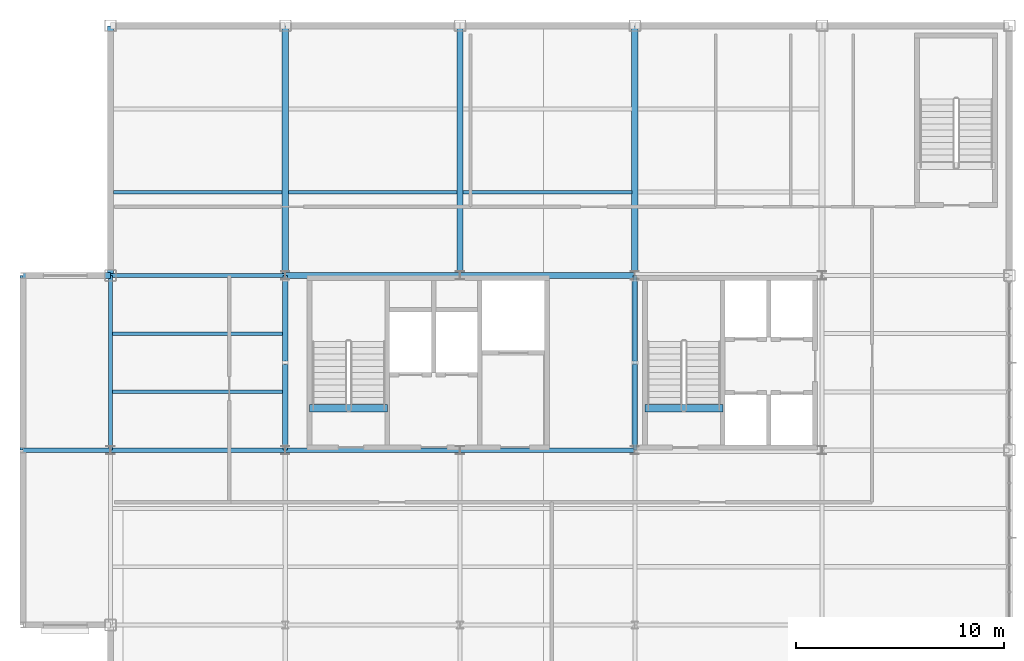
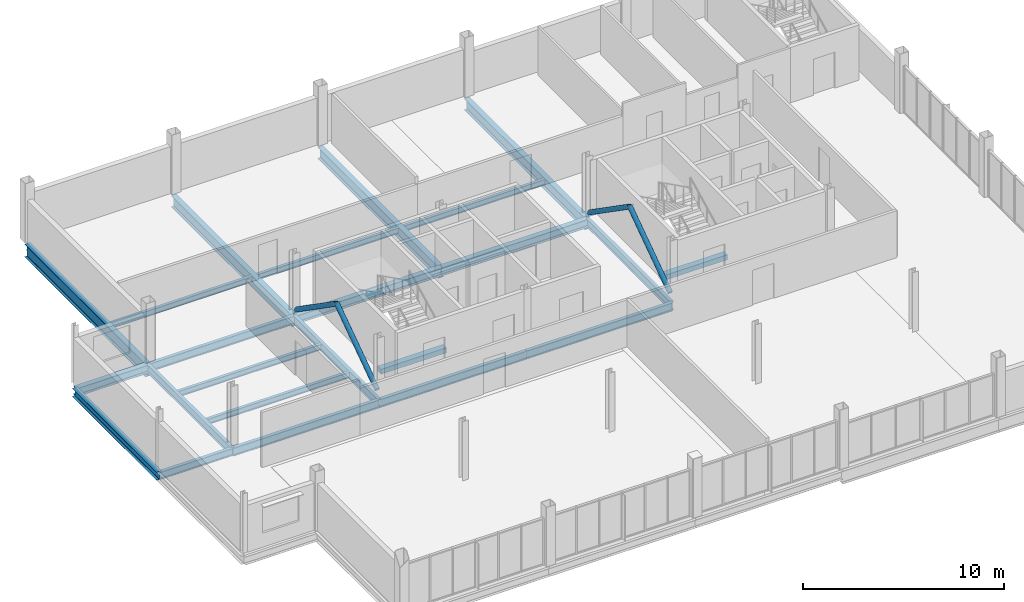
# One storey, part 7 of 18: 23 beams, 4 members.
"""IFC4 building model written with IfcOpenShell, lengths in metres."""

import ifcopenshell
import ifcopenshell.guid

model = None  # the IFC model being written
_history = None  # IfcOwnerHistory: only IFC2X3 demands one
_inside = {}  # id of a spatial element -> (the spatial element, [elements in it])
_under = {}  # id of a project, library or spatial element -> (it, [spatial elements below it])
_declared = {}  # id of a project -> (the project, [libraries it declares])
_typed = {}  # id of a type object -> (the type object, [elements of that type])
_made_of = {}  # id of a material, layer set ... -> (it, [elements and type objects made of it])


def new_model(schema):
    """Start an empty IFC model of exactly this schema.

    Asked for "IFC4X3", IfcOpenShell would pick the latest addendum, in which some entities
    have other attributes; the version numbers below select the first issue.
    IFC2X3 requires an IfcOwnerHistory on every rooted entity: one is made here for all.
    """
    global model, _history
    if schema == "IFC4X3":
        model = ifcopenshell.file(schema_version=(4, 3, 0, 0))
    else:
        model = ifcopenshell.file(schema=schema)
    _inside.clear()
    _under.clear()
    _declared.clear()
    _typed.clear()
    _made_of.clear()
    _history = None
    if model.schema == "IFC2X3":
        org = make("IfcOrganization", Name="unknown")
        user = make(
            "IfcPersonAndOrganization",
            ThePerson=make("IfcPerson", FamilyName="unknown"),
            TheOrganization=org,
        )
        app = make(
            "IfcApplication",
            ApplicationDeveloper=org,
            Version="unknown",
            ApplicationFullName="unknown",
            ApplicationIdentifier="unknown",
        )
        _history = make(
            "IfcOwnerHistory",
            OwningUser=user,
            OwningApplication=app,
            ChangeAction="ADDED",
            CreationDate=0,
        )
    return model


def make(cls, **values):
    """One entity of the class cls with the attributes given. An attribute that is None is left unset."""
    return model.create_entity(
        cls, **{name: value for name, value in values.items() if value is not None}
    )


def rooted(cls, **values):
    """An entity with a GlobalId (a new one), such as an element, a storey or a relation."""
    return make(cls, GlobalId=ifcopenshell.guid.new(), OwnerHistory=_history, **values)


def si_unit(unit_type, name, prefix=None):
    """IfcSIUnit, for example si_unit("LENGTHUNIT", "METRE", prefix="MILLI")."""
    return make("IfcSIUnit", UnitType=unit_type, Prefix=prefix, Name=name)


def assignment(units):
    """IfcUnitAssignment: the units of a project."""
    return None if units is None else make("IfcUnitAssignment", Units=units)


def point(xyz):
    """IfcCartesianPoint."""
    return None if xyz is None else make("IfcCartesianPoint", Coordinates=xyz)


def direction(xyz):
    """IfcDirection."""
    return None if xyz is None else make("IfcDirection", DirectionRatios=xyz)


def frame(location, z_axis=None, x_axis=None):
    """IfcAxis2Placement3D, a coordinate frame: its origin and axes. An axis left out is left unset."""
    return make(
        "IfcAxis2Placement3D",
        Location=point(location),
        Axis=direction(z_axis),
        RefDirection=direction(x_axis),
    )


def frame_2d(location, x_axis=None):
    """IfcAxis2Placement2D, a coordinate frame in the plane: its origin and x axis."""
    return make(
        "IfcAxis2Placement2D", Location=point(location), RefDirection=direction(x_axis)
    )


def origin():
    """The frame at (0, 0, 0) with its axes left unset."""
    return frame((0.0, 0.0, 0.0))


def origin_2d():
    """The frame at (0, 0) in the plane with its x axis left unset."""
    return frame_2d((0.0, 0.0))


def place(relative_to, where):
    """IfcLocalPlacement: puts the frame where relative to a parent placement (None: the world)."""
    return make(
        "IfcLocalPlacement", PlacementRelTo=relative_to, RelativePlacement=where
    )


def context(
    kind, dimensions, precision=None, world=None, true_north=None, identifier=None
):
    """IfcGeometricRepresentationContext, for example the 3D "Model" context."""
    return make(
        "IfcGeometricRepresentationContext",
        ContextIdentifier=identifier,
        ContextType=kind,
        CoordinateSpaceDimension=dimensions,
        Precision=precision,
        WorldCoordinateSystem=world,
        TrueNorth=true_north,
    )


def subcontext(parent, identifier, kind, view, scale=None):
    """IfcGeometricRepresentationSubContext, for example "Body" below "Model"."""
    return make(
        "IfcGeometricRepresentationSubContext",
        ContextIdentifier=identifier,
        ContextType=kind,
        ParentContext=parent,
        TargetScale=scale,
        TargetView=view,
    )


def project(units=None, contexts=None):
    """IfcProject with its units and contexts."""
    return rooted(
        "IfcProject",
        Name="project",
        RepresentationContexts=contexts,
        UnitsInContext=assignment(units),
    )


def spatial(cls, under=None, at=None, **own):
    """A site, building, storey or space (cls), placed at a placement, below another one or the project."""
    s = rooted(cls, ObjectPlacement=at, **own)
    if under is not None:
        _under.setdefault(under.id(), (under, []))[1].append(s)
    return s


def profile(cls, at=None, kind="AREA", **sizes):
    """A parametric profile (cls). Its sizes go by their IFC names, for example OverallWidth=200.0."""
    return make(cls, ProfileType=kind, Position=at, **sizes)


def rectangle(**sizes):
    """IfcRectangleProfileDef."""
    return profile("IfcRectangleProfileDef", **sizes)


def hollow_circle(**sizes):
    """IfcCircleHollowProfileDef."""
    return profile("IfcCircleHollowProfileDef", **sizes)


def i_section(**sizes):
    """IfcIShapeProfileDef."""
    return profile("IfcIShapeProfileDef", **sizes)


def extrude(swept, where, along, depth):
    """IfcExtrudedAreaSolid: the profile swept, set in the frame where, extruded along a direction by depth."""
    return make(
        "IfcExtrudedAreaSolid",
        SweptArea=swept,
        Position=where,
        ExtrudedDirection=direction(along),
        Depth=depth,
    )


def shape(context_of_items, identifier, shape_type, items):
    """IfcShapeRepresentation: the items that make up one representation, for example the "Body"."""
    return make(
        "IfcShapeRepresentation",
        ContextOfItems=context_of_items,
        RepresentationIdentifier=identifier,
        RepresentationType=shape_type,
        Items=items,
    )


def material(Name=None, Category=None):
    """IfcMaterial."""
    return make("IfcMaterial", Name=Name, Category=Category)


def material_profile(
    of_material, cross_section, Name=None, Category=None, Priority=None
):
    """IfcMaterialProfile: a cross section and its material."""
    return make(
        "IfcMaterialProfile",
        Name=Name,
        Material=of_material,
        Profile=cross_section,
        Priority=Priority,
        Category=Category,
    )


def profile_set(profiles, Name=None, composite=None):
    """IfcMaterialProfileSet."""
    return make(
        "IfcMaterialProfileSet",
        Name=Name,
        MaterialProfiles=profiles,
        CompositeProfile=composite,
    )


def made_of(thing, what):
    """Note that an element or type object is made of a material, layer set ...; save() writes the relation."""
    if what is not None:
        _made_of.setdefault(what.id(), (what, []))[1].append(thing)
    return thing


def type_object(cls, material=None, **own):
    """A type object (cls), such as IfcWallType, which elements share."""
    return made_of(rooted(cls, **own), material)


def element(
    cls,
    number,
    at=None,
    inside=None,
    cuts=None,
    type_object=None,
    material=None,
    context=None,
    identifier="Body",
    shape_type=None,
    held_by="IfcProductDefinitionShape",
    body=None,
    shapes=None,
    **own,
):
    """One element of the class cls, such as IfcWall. Its Tag is "e" and its number.

    at: its placement. inside: the storey or other place that contains it. cuts: it is an
    opening in that element (IfcRelVoidsElement). A single representation is given by context,
    identifier, shape_type and body (its items); several are given by shapes. held_by: the class
    of the entity that holds the representations. save() writes the other relations.
    """
    e = rooted(cls, Tag="e%d" % number, ObjectPlacement=at, **own)
    if body is not None:
        shapes = [shape(context, identifier, shape_type, body)]
    if shapes is not None:
        e.Representation = make(held_by, Representations=shapes)
    if inside is not None:
        _inside.setdefault(inside.id(), (inside, []))[1].append(e)
    if cuts is not None:
        rooted(
            "IfcRelVoidsElement", RelatingBuildingElement=cuts, RelatedOpeningElement=e
        )
    if type_object is not None:
        _typed.setdefault(type_object.id(), (type_object, []))[1].append(e)
    return made_of(e, material)


def aggregate(whole, parts):
    """IfcRelAggregates: a whole, such as a stair, and the parts it consists of."""
    return rooted("IfcRelAggregates", RelatingObject=whole, RelatedObjects=parts)


def save(model, path):
    """Write the relations noted so far, then the file.

    IfcRelAggregates (storeys below a building ...), IfcRelContainedInSpatialStructure (elements
    in a storey), IfcRelDefinesByType, IfcRelAssociatesMaterial and IfcRelDeclares: one each for
    every whole, place, type object, material and project.
    """
    for whole, parts in _under.values():
        aggregate(whole, parts)
    for where, things in _inside.values():
        rooted(
            "IfcRelContainedInSpatialStructure",
            RelatedElements=things,
            RelatingStructure=where,
        )
    for kind, things in _typed.values():
        rooted("IfcRelDefinesByType", RelatedObjects=things, RelatingType=kind)
    for what, things in _made_of.values():
        rooted("IfcRelAssociatesMaterial", RelatedObjects=things, RelatingMaterial=what)
    for by, libraries in _declared.values():
        rooted("IfcRelDeclares", RelatingContext=by, RelatedDefinitions=libraries)
    model.write(path)


model = new_model("IFC4")

# Units and contexts
model_context = context("Model", 3, precision=1e-05, world=origin(), true_north=direction((0.0, 1.0)))
body_context = subcontext(model_context, "Body", "Model", "MODEL_VIEW")
ifc_project = project(units=[si_unit("LENGTHUNIT", "METRE"), si_unit("AREAUNIT", "SQUARE_METRE"), si_unit("VOLUMEUNIT", "CUBIC_METRE"), si_unit("PLANEANGLEUNIT", "RADIAN"), si_unit("MASSUNIT", "GRAM", prefix="KILO")], contexts=[model_context])

# Site, building, storey
site_placement = place(None, origin())
site = spatial("IfcSite", under=ifc_project, at=site_placement, CompositionType="ELEMENT")
building_placement = place(site_placement, origin())
building = spatial("IfcBuilding", under=site, at=building_placement, Name="Yukiwa Park Conservatory and Herbarium", CompositionType="ELEMENT")
storey_placement = place(building_placement, frame((0.0, 0.0, 24.60009765625)))
storey = spatial("IfcBuildingStorey", under=building, at=storey_placement, Name="L06", CompositionType="ELEMENT", Elevation=24.60009765625)

# Beams
ifc_material_1 = material(Name="Steel Q355D", Category="steel")
ifc_material_profile_1 = material_profile(ifc_material_1, i_section(OverallWidth=0.198974609375, OverallDepth=0.446044921875, WebThickness=0.008056640625, FlangeThickness=0.011962890625, FilletRadius=0.01806640625, at=origin_2d()), Name="HN 446x199x8x12")
ifc_profile_set_1 = profile_set([ifc_material_profile_1], Name="Steel Q355D")
beam_type_1 = type_object("IfcBeamType", Name="BM-GRD-HN446", PredefinedType="BEAM", material=ifc_profile_set_1)
beam_1_placement = place(storey_placement, frame((120.60595703125, 94.800048828125, -0.47314453125), z_axis=(1.0, 0.0, 0.0), x_axis=(0.0, 1.0, 0.0)))
element("IfcBeam", 1, at=beam_1_placement, inside=storey, type_object=beam_type_1, Name="L06 grid beam X-12", PredefinedType="BEAM", context=body_context, shape_type="SweptSolid", body=[
    extrude(i_section(OverallWidth=0.198974609375, OverallDepth=0.446044921875, WebThickness=0.008056640625, FlangeThickness=0.011962890625, FilletRadius=0.01806640625, at=origin_2d()), origin(), (0.0, 0.0, 1.0), 4.18798828125),
])
ifc_material_2 = material(Name="Steel Q355D", Category="steel")
ifc_material_profile_2 = material_profile(ifc_material_2, i_section(OverallWidth=0.198974609375, OverallDepth=0.49609375, WebThickness=0.009033203125, FlangeThickness=0.013916015625, FilletRadius=0.02001953125, at=origin_2d()), Name="HN 496x199x9x14")
ifc_profile_set_2 = profile_set([ifc_material_profile_2], Name="Steel Q355D")
beam_type_2 = type_object("IfcBeamType", Name="BM-GRD-HN496", PredefinedType="BEAM", material=ifc_profile_set_2)
beam_2_placement = place(storey_placement, frame((124.805908203125, 94.800048828125, -0.498046875), z_axis=(1.0, 0.0, 0.0), x_axis=(0.0, 1.0, 0.0)))
element("IfcBeam", 2, at=beam_2_placement, inside=storey, type_object=beam_type_2, Name="L06 grid beam X-13", PredefinedType="BEAM", context=body_context, shape_type="SweptSolid", body=[
    extrude(i_section(OverallWidth=0.198974609375, OverallDepth=0.49609375, WebThickness=0.009033203125, FlangeThickness=0.013916015625, FilletRadius=0.02001953125, at=origin_2d()), origin(), (0.0, 0.0, 1.0), 8.38818359375),
])
for number, where, z_axis, x_axis, name in (
    (3, (133.2060546875, 94.800048828125, -0.498046875), (1.0, 0.0, 0.0), (0.0, 1.0, 0.0), "L06 grid beam X-14"),
    (4, (141.60595703125, 94.800048828125, -0.498046875), (1.0, 0.0, 0.0), (0.0, 1.0, 0.0), "L06 grid beam X-15"),
):
    element("IfcBeam", number, at=place(storey_placement, frame(where, z_axis=z_axis, x_axis=x_axis)), inside=storey, type_object=beam_type_2, Name=name, PredefinedType="BEAM", context=body_context, shape_type="SweptSolid", body=[
        extrude(i_section(OverallWidth=0.198974609375, OverallDepth=0.49609375, WebThickness=0.009033203125, FlangeThickness=0.013916015625, FilletRadius=0.02001953125, at=origin_2d()), origin(), (0.0, 0.0, 1.0), 8.387939453125),
    ])
beam_3_placement = place(storey_placement, frame((124.805908203125, 103.199951171875, -0.498046875), z_axis=(1.0, 0.0, 0.0), x_axis=(0.0, 1.0, 0.0)))
element("IfcBeam", 5, at=beam_3_placement, inside=storey, type_object=beam_type_2, Name="L06 grid beam X-19", PredefinedType="BEAM", context=body_context, shape_type="SweptSolid", body=[
    extrude(i_section(OverallWidth=0.198974609375, OverallDepth=0.49609375, WebThickness=0.009033203125, FlangeThickness=0.013916015625, FilletRadius=0.02001953125, at=origin_2d()), origin(), (0.0, 0.0, 1.0), 8.38818359375),
])
ifc_material_3 = material(Name="Steel Q355D", Category="steel")
ifc_material_profile_3 = material_profile(ifc_material_3, i_section(OverallWidth=0.199951171875, OverallDepth=0.5, WebThickness=0.010009765625, FlangeThickness=0.01611328125, FilletRadius=0.02001953125, at=origin_2d()), Name="HN 500x200x10x16")
ifc_profile_set_3 = profile_set([ifc_material_profile_3], Name="Steel Q355D")
beam_type_3 = type_object("IfcBeamType", Name="BM-GRD-HN500", PredefinedType="BEAM", material=ifc_profile_set_3)
for number, where, z_axis, x_axis, name in (
    (6, (124.800048828125, 94.805908203125, -0.5), (0.0, 1.0, 0.0), (-1.0, 0.0, 0.0), "L06 grid girder Y-33"),
    (7, (133.199951171875, 94.805908203125, -0.5), (0.0, 1.0, 0.0), (-1.0, 0.0, 0.0), "L06 grid girder Y-37"),
    (8, (150.0, 94.805908203125, -0.5), (0.0, 1.0, 0.0), (-1.0, 0.0, 0.0), "L06 grid girder Y-44"),
):
    element("IfcBeam", number, at=place(storey_placement, frame(where, z_axis=z_axis, x_axis=x_axis)), inside=storey, type_object=beam_type_3, Name=name, PredefinedType="BEAM", context=body_context, shape_type="SweptSolid", body=[
        extrude(i_section(OverallWidth=0.199951171875, OverallDepth=0.5, WebThickness=0.010009765625, FlangeThickness=0.01611328125, FilletRadius=0.02001953125, at=origin_2d()), origin(), (0.0, 0.0, 1.0), 8.38818359375),
    ])
ifc_material_4 = material(Name="Steel Q355D", Category="steel")
ifc_material_profile_4 = material_profile(ifc_material_4, i_section(OverallWidth=0.300048828125, OverallDepth=0.699951171875, WebThickness=0.012939453125, FlangeThickness=0.02392578125, FilletRadius=0.028076171875, at=origin_2d()), Name="HN 700x300x13x24")
ifc_profile_set_4 = profile_set([ifc_material_profile_4], Name="Steel Q355D")
beam_type_4 = type_object("IfcBeamType", Name="BM-GRD-HN700", PredefinedType="BEAM", material=ifc_profile_set_4)
for number, where, z_axis, x_axis, name in (
    (9, (133.199951171875, 103.2060546875, -0.60009765625), (0.0, 1.0, 0.0), (-1.0, 0.0, 0.0), "L06 grid girder Y-38"),
    (10, (141.60009765625, 103.2060546875, -0.60009765625), (0.0, 1.0, 0.0), (-1.0, 0.0, 0.0), "L06 grid girder Y-41"),
    (11, (150.0, 103.2060546875, -0.60009765625), (0.0, 1.0, 0.0), (-1.0, 0.0, 0.0), "L06 grid girder Y-45"),
):
    element("IfcBeam", number, at=place(storey_placement, frame(where, z_axis=z_axis, x_axis=x_axis)), inside=storey, type_object=beam_type_4, Name=name, PredefinedType="BEAM", context=body_context, shape_type="SweptSolid", body=[
        extrude(i_section(OverallWidth=0.300048828125, OverallDepth=0.699951171875, WebThickness=0.012939453125, FlangeThickness=0.02392578125, FilletRadius=0.028076171875, at=origin_2d()), origin(), (0.0, 0.0, 1.0), 11.988037109375),
    ])
ifc_material_5 = material(Name="Steel Q355D", Category="steel")
ifc_material_profile_5 = material_profile(ifc_material_5, i_section(OverallWidth=0.174072265625, OverallDepth=0.345947265625, WebThickness=0.006103515625, FlangeThickness=0.009033203125, FilletRadius=0.013916015625, at=origin_2d()), Name="HN 346x174x6x9")
ifc_profile_set_5 = profile_set([ifc_material_profile_5], Name="Steel Q355D")
beam_type_5 = type_object("IfcBeamType", Name="BM-JST-HN346", PredefinedType="JOIST", material=ifc_profile_set_5)
for number, where, z_axis, x_axis, name in (
    (12, (124.89599609375, 97.60009765625, -0.423095703125), (1.0, 0.0, 0.0), (0.0, 1.0, 0.0), "L06 composite floor joist 5"),
    (13, (124.89599609375, 100.39990234375, -0.423095703125), (1.0, 0.0, 0.0), (0.0, 1.0, 0.0), "L06 composite floor joist 6"),
):
    element("IfcBeam", number, at=place(storey_placement, frame(where, z_axis=z_axis, x_axis=x_axis)), inside=storey, type_object=beam_type_5, Name=name, PredefinedType="JOIST", context=body_context, shape_type="SweptSolid", body=[
        extrude(i_section(OverallWidth=0.174072265625, OverallDepth=0.345947265625, WebThickness=0.006103515625, FlangeThickness=0.009033203125, FilletRadius=0.013916015625, at=origin_2d()), origin(), (0.0, 0.0, 1.0), 8.2080078125),
    ])
beam_4_placement = place(storey_placement, frame((124.946044921875, 107.199951171875, -0.423095703125), z_axis=(1.0, 0.0, 0.0), x_axis=(0.0, 1.0, 0.0)))
element("IfcBeam", 14, at=beam_4_placement, inside=storey, type_object=beam_type_5, Name="L06 composite floor joist 7", PredefinedType="JOIST", context=body_context, shape_type="SweptSolid", body=[
    extrude(i_section(OverallWidth=0.174072265625, OverallDepth=0.345947265625, WebThickness=0.006103515625, FlangeThickness=0.009033203125, FilletRadius=0.013916015625, at=origin_2d()), origin(), (0.0, 0.0, 1.0), 8.10791015625),
])
beam_5_placement = place(storey_placement, frame((133.345947265625, 107.199951171875, -0.423095703125), z_axis=(1.0, 0.0, 0.0), x_axis=(0.0, 1.0, 0.0)))
element("IfcBeam", 15, at=beam_5_placement, inside=storey, type_object=beam_type_5, Name="L06 composite floor joist 13", PredefinedType="JOIST", context=body_context, shape_type="SweptSolid", body=[
    extrude(i_section(OverallWidth=0.174072265625, OverallDepth=0.345947265625, WebThickness=0.006103515625, FlangeThickness=0.009033203125, FilletRadius=0.013916015625, at=origin_2d()), origin(), (0.0, 0.0, 1.0), 8.108154296875),
])
beam_6_placement = place(storey_placement, frame((141.74609375, 107.199951171875, -0.423095703125), z_axis=(1.0, 0.0, 0.0), x_axis=(0.0, 1.0, 0.0)))
element("IfcBeam", 16, at=beam_6_placement, inside=storey, type_object=beam_type_5, Name="L06 composite floor joist 19", PredefinedType="JOIST", context=body_context, shape_type="SweptSolid", body=[
    extrude(i_section(OverallWidth=0.174072265625, OverallDepth=0.345947265625, WebThickness=0.006103515625, FlangeThickness=0.009033203125, FilletRadius=0.013916015625, at=origin_2d()), origin(), (0.0, 0.0, 1.0), 8.10791015625),
])
ifc_material_6 = material(Name="Steel Q355D", Category="steel")
ifc_material_profile_6 = material_profile(ifc_material_6, i_section(OverallWidth=0.300048828125, OverallDepth=0.493896484375, WebThickness=0.010986328125, FlangeThickness=0.014892578125, FilletRadius=0.02392578125, at=origin_2d()), Name="HM 494x300x11x15")
ifc_profile_set_6 = profile_set([ifc_material_profile_6], Name="Steel Q355D")
beam_type_6 = type_object("IfcBeamType", Name="BM-SPN-HN450", PredefinedType="SPANDREL", material=ifc_profile_set_6)
beam_7_placement = place(storey_placement, frame((120.60595703125, 103.199951171875, -0.4970703125), z_axis=(1.0, 0.0, 0.0), x_axis=(0.0, 1.0, 0.0)))
element("IfcBeam", 17, at=beam_7_placement, inside=storey, type_object=beam_type_6, Name="L06 spandrel beam X-18", PredefinedType="SPANDREL", context=body_context, shape_type="SweptSolid", body=[
    extrude(i_section(OverallWidth=0.300048828125, OverallDepth=0.493896484375, WebThickness=0.010986328125, FlangeThickness=0.014892578125, FilletRadius=0.02392578125, at=origin_2d()), origin(), (0.0, 0.0, 1.0), 4.18798828125),
])
ifc_material_7 = material(Name="Steel Q355D", Category="steel")
ifc_material_profile_7 = material_profile(ifc_material_7, i_section(OverallWidth=0.300048828125, OverallDepth=0.5, WebThickness=0.010986328125, FlangeThickness=0.01806640625, FilletRadius=0.02392578125, at=origin_2d()), Name="HM 500x300x11x18")
ifc_profile_set_7 = profile_set([ifc_material_profile_7], Name="Steel Q355D")
beam_type_7 = type_object("IfcBeamType", Name="BM-SPN-HN500", PredefinedType="SPANDREL", material=ifc_profile_set_7)
for number, where, z_axis, x_axis, name in (
    (18, (133.2060546875, 103.199951171875, -0.5), (1.0, 0.0, 0.0), (0.0, 1.0, 0.0), "L06 spandrel beam X-20"),
    (19, (141.60595703125, 103.199951171875, -0.5), (1.0, 0.0, 0.0), (0.0, 1.0, 0.0), "L06 spandrel beam X-21"),
):
    element("IfcBeam", number, at=place(storey_placement, frame(where, z_axis=z_axis, x_axis=x_axis)), inside=storey, type_object=beam_type_7, Name=name, PredefinedType="SPANDREL", context=body_context, shape_type="SweptSolid", body=[
        extrude(i_section(OverallWidth=0.300048828125, OverallDepth=0.5, WebThickness=0.010986328125, FlangeThickness=0.01806640625, FilletRadius=0.02392578125, at=origin_2d()), origin(), (0.0, 0.0, 1.0), 8.387939453125),
    ])
beam_8_placement = place(storey_placement, frame((120.60009765625, 94.805908203125, -0.5), z_axis=(0.0, 1.0, 0.0), x_axis=(-1.0, 0.0, 0.0)))
element("IfcBeam", 20, at=beam_8_placement, inside=storey, type_object=beam_type_7, Name="L06 spandrel girder Y-30", PredefinedType="SPANDREL", context=body_context, shape_type="SweptSolid", body=[
    extrude(i_section(OverallWidth=0.300048828125, OverallDepth=0.5, WebThickness=0.010986328125, FlangeThickness=0.01806640625, FilletRadius=0.02392578125, at=origin_2d()), origin(), (0.0, 0.0, 1.0), 8.38818359375),
])
ifc_material_8 = material(Name="Steel Q355D", Category="steel")
ifc_material_profile_8 = material_profile(ifc_material_8, i_section(OverallWidth=0.300048828125, OverallDepth=0.7919921875, WebThickness=0.013916015625, FlangeThickness=0.02197265625, FilletRadius=0.028076171875, at=origin_2d()), Name="HN 792x300x14x22")
ifc_profile_set_8 = profile_set([ifc_material_profile_8], Name="Steel Q355D")
beam_type_8 = type_object("IfcBeamType", Name="BM-SPN-HN600", PredefinedType="SPANDREL", material=ifc_profile_set_8)
beam_9_placement = place(storey_placement, frame((124.800048828125, 103.2060546875, -0.64599609375), z_axis=(0.0, 1.0, 0.0), x_axis=(-1.0, 0.0, 0.0)))
element("IfcBeam", 21, at=beam_9_placement, inside=storey, type_object=beam_type_8, Name="L06 spandrel girder Y-34", PredefinedType="SPANDREL", context=body_context, shape_type="SweptSolid", body=[
    extrude(i_section(OverallWidth=0.300048828125, OverallDepth=0.7919921875, WebThickness=0.013916015625, FlangeThickness=0.02197265625, FilletRadius=0.028076171875, at=origin_2d()), origin(), (0.0, 0.0, 1.0), 11.988037109375),
])
ifc_material_9 = material(Name="Concrete C40", Category="concrete")
ifc_material_profile_9 = material_profile(ifc_material_9, rectangle(XDim=0.35009765625, YDim=0.300048828125, at=origin_2d()), Name="RC 350x300")
ifc_profile_set_9 = profile_set([ifc_material_profile_9], Name="Concrete C40")
beam_type_9 = type_object("IfcBeamType", Name="BM-STAIR-TRIM", PredefinedType="BEAM", material=ifc_profile_set_9)
for number, where, z_axis, x_axis, name in (
    (22, (134.3701171875, 96.81005859375, -0.150146484375), (1.0, 0.0, 0.0), (0.0, 1.0, 0.0), "Stair ST-T1 L06 landing trimmer beam"),
    (23, (150.47998046875, 96.81005859375, -0.150146484375), (1.0, 0.0, 0.0), (0.0, 1.0, 0.0), "Stair ST-T2 L06 landing trimmer beam"),
):
    element("IfcBeam", number, at=place(storey_placement, frame(where, z_axis=z_axis, x_axis=x_axis)), inside=storey, type_object=beam_type_9, Name=name, PredefinedType="BEAM", context=body_context, shape_type="SweptSolid", body=[
        extrude(rectangle(XDim=0.35009765625, YDim=0.300048828125, at=origin_2d()), origin(), (0.0, 0.0, 1.0), 3.75),
    ])

# Members
ifc_material_10 = material(Name="Steel Q355D", Category="steel")
ifc_material_profile_10 = material_profile(ifc_material_10, hollow_circle(Radius=0.136474609375, WallThickness=0.010009765625, at=origin_2d()), Name="CHS 273x10")
ifc_profile_set_10 = profile_set([ifc_material_profile_10], Name="Steel Q355D")
member_type = type_object("IfcMemberType", Name="MB-BR-CHS273", PredefinedType="BRACE", material=ifc_profile_set_10)
for number, where, z_axis, x_axis, name in (
    (24, (133.199951171875, 94.995361328125, 0.185546875), (0.0, 0.821040867242, 0.570869419673), (-1.0, 0.0, 0.0), "L06 concentric chevron brace 37"),
    (25, (133.199951171875, 103.004638671875, 0.185546875), (0.0, -0.821040867242, 0.570869419673), (1.0, 0.0, 0.0), "L06 concentric chevron brace 38"),
    (26, (150.0, 94.995361328125, 0.185546875), (0.0, 0.821040867242, 0.570869419673), (-1.0, 0.0, 0.0), "L06 concentric chevron brace 39"),
    (27, (150.0, 103.004638671875, 0.185546875), (0.0, -0.821040867242, 0.570869419673), (1.0, 0.0, 0.0), "L06 concentric chevron brace 40"),
):
    element("IfcMember", number, at=place(storey_placement, frame(where, z_axis=z_axis, x_axis=x_axis)), inside=storey, type_object=member_type, Name=name, PredefinedType="BRACE", context=body_context, shape_type="SweptSolid", body=[
        extrude(hollow_circle(Radius=0.136474609375, WallThickness=0.010009765625, at=origin_2d()), origin(), (0.0, 0.0, 1.0), 4.87744140625),
    ])

save(model, "model.ifc")
